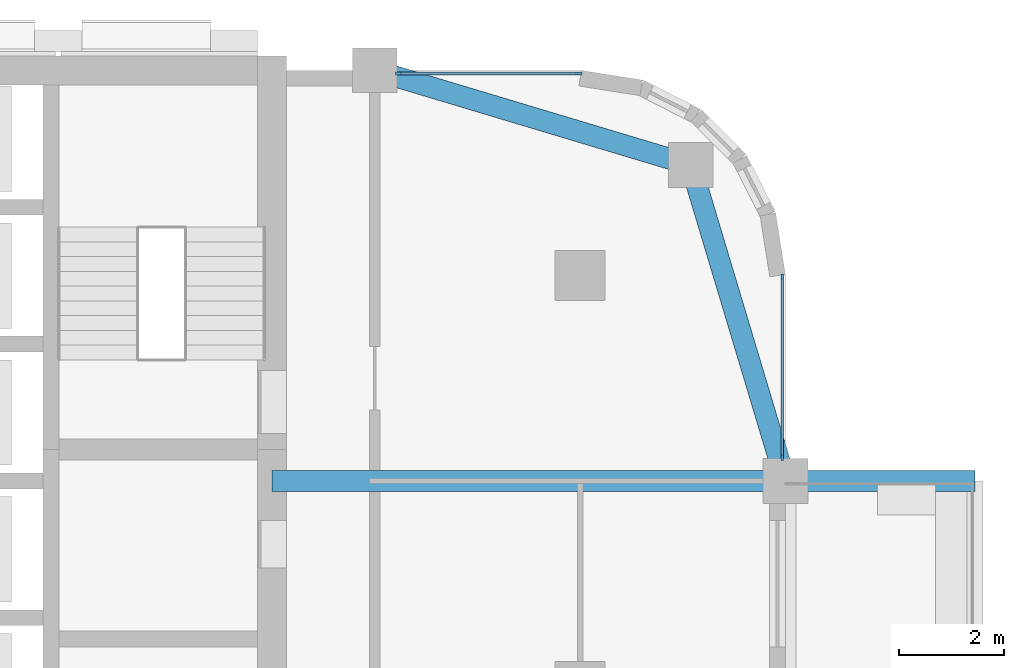
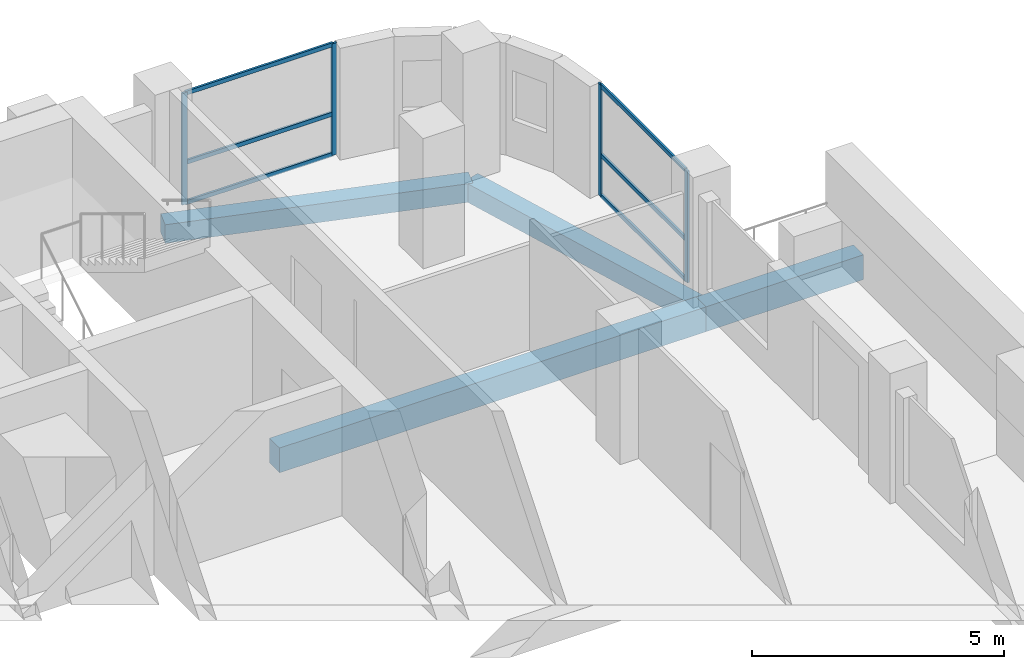
# One storey, part 8 of 19: 10 members, 4 beams, 2 elements without a shape of their own.
"""IFC4 building model written with IfcOpenShell, lengths in metres."""

from ifc_helpers import new_model, si_unit, direction, frame, origin, origin_2d, place, context, subcontext, project, spatial, rectangle, extrude, material, material_profile, profile_set, type_object, element, aggregate, save


model = new_model("IFC4")

# Units and contexts
model_context = context("Model", 3, precision=1e-05, world=origin(), true_north=direction((0.0, 1.0)))
body_context = subcontext(model_context, "Body", "Model", "MODEL_VIEW")
ifc_project = project(units=[si_unit("LENGTHUNIT", "METRE"), si_unit("AREAUNIT", "SQUARE_METRE"), si_unit("VOLUMEUNIT", "CUBIC_METRE"), si_unit("PLANEANGLEUNIT", "RADIAN"), si_unit("MASSUNIT", "GRAM", prefix="KILO")], contexts=[model_context])

# Site, building, storey
site_placement = place(None, origin())
site = spatial("IfcSite", under=ifc_project, at=site_placement, CompositionType="ELEMENT")
building_placement = place(site_placement, origin())
building = spatial("IfcBuilding", under=site, at=building_placement, Name="Ludao Terraces", CompositionType="ELEMENT")
storey_placement = place(building_placement, frame((0.0, 0.0, 133.89990234375)))
storey = spatial("IfcBuildingStorey", under=building, at=storey_placement, Name="L36", CompositionType="ELEMENT", Elevation=133.89990234375)

# Curtain wall, members
ifc_material_1 = material(Name="Aluminium curtain wall with fritted glass", Category="aluminium")
curtain_wall_type = type_object("IfcCurtainWallType", Name="ENV CW3 community glazing", PredefinedType="NOTDEFINED", material=ifc_material_1)
curtain_wall_1_placement = place(storey_placement, origin())
curtain_wall_1 = element("IfcCurtainWall", 1, at=curtain_wall_1_placement, inside=storey, type_object=curtain_wall_type, Name="Community floor glazing L36 E5", PredefinedType="NOTDEFINED")
ifc_material_2 = material(Name="Aluminium 6063-T6", Category="aluminium")
ifc_material_profile_1 = material_profile(ifc_material_2, rectangle(XDim=0.050048828125, YDim=0.1201171875, at=origin_2d()), Name="50 X 120")
ifc_profile_set_1 = profile_set([ifc_material_profile_1], Name="Aluminium 6063-T6")
member_type_1 = type_object("IfcMemberType", Name="ENV CW3 mullion 50x120", PredefinedType="MULLION", material=ifc_profile_set_1)
member_1_placement = place(storey_placement, frame((104.43994140625, 77.14990234375, 0.0), z_axis=(0.0, 0.0, 1.0), x_axis=(-1.0, 0.0, 0.0)))
member_1 = element("IfcMember", 2, at=member_1_placement, type_object=member_type_1, Name="CW3 mullion 1", PredefinedType="MULLION", context=body_context, shape_type="SweptSolid", body=[
    extrude(rectangle(XDim=0.050048828125, YDim=0.1201171875, at=origin_2d()), origin(), (0.0, 0.0, 1.0), 2.7001953125),
])
member_2_placement = place(storey_placement, frame((104.43994140625, 80.574951171875, 0.0), z_axis=(0.0, 0.0, 1.0), x_axis=(-1.0, 0.0, 0.0)))
member_2 = element("IfcMember", 3, at=member_2_placement, type_object=member_type_1, Name="CW3 mullion 2", PredefinedType="MULLION", context=body_context, shape_type="SweptSolid", body=[
    extrude(rectangle(XDim=0.050048828125, YDim=0.1201171875, at=origin_2d()), origin(), (0.0, 0.0, 1.0), 2.7001953125),
])

curtain_wall_2_placement = place(storey_placement, origin())
curtain_wall_2 = element("IfcCurtainWall", 4, at=curtain_wall_2_placement, inside=storey, type_object=curtain_wall_type, Name="Community floor glazing L36 N4", PredefinedType="NOTDEFINED")
member_3_placement = place(storey_placement, frame((97.14990234375, 84.43994140625, 0.0), z_axis=(0.0, 0.0, 1.0), x_axis=(0.0, 1.0, 0.0)))
member_3 = element("IfcMember", 5, at=member_3_placement, type_object=member_type_1, Name="CW3 mullion 1", PredefinedType="MULLION", context=body_context, shape_type="SweptSolid", body=[
    extrude(rectangle(XDim=0.050048828125, YDim=0.1201171875, at=origin_2d()), origin(), (0.0, 0.0, 1.0), 2.7001953125),
])
member_4_placement = place(storey_placement, frame((100.574951171875, 84.43994140625, 0.0), z_axis=(0.0, 0.0, 1.0), x_axis=(0.0, 1.0, 0.0)))
member_4 = element("IfcMember", 6, at=member_4_placement, type_object=member_type_1, Name="CW3 mullion 2", PredefinedType="MULLION", context=body_context, shape_type="SweptSolid", body=[
    extrude(rectangle(XDim=0.050048828125, YDim=0.1201171875, at=origin_2d()), origin(), (0.0, 0.0, 1.0), 2.7001953125),
])

# Member
ifc_material_profile_2 = material_profile(ifc_material_2, rectangle(XDim=0.050048828125, YDim=0.10009765625, at=origin_2d()), Name="50 X 100")
ifc_profile_set_2 = profile_set([ifc_material_profile_2], Name="Aluminium 6063-T6")
member_type_2 = type_object("IfcMemberType", Name="ENV CW3 transom 50x100", PredefinedType="USERDEFINED", material=ifc_profile_set_2)
member_5_placement = place(storey_placement, frame((104.43994140625, 77.175048828125, 0.025146484375), z_axis=(0.0, 1.0, 0.0), x_axis=(-1.0, 0.0, 0.0)))
member_5 = element("IfcMember", 7, at=member_5_placement, type_object=member_type_2, Name="CW3 transom 1.1", ObjectType="TRANSOM", PredefinedType="USERDEFINED", context=body_context, shape_type="SweptSolid", body=[
    extrude(rectangle(XDim=0.050048828125, YDim=0.10009765625, at=origin_2d()), origin(), (0.0, 0.0, 1.0), 3.375),
])

member_6_placement = place(storey_placement, frame((104.43994140625, 77.175048828125, 1.0), z_axis=(0.0, 1.0, 0.0), x_axis=(-1.0, 0.0, 0.0)))
member_6 = element("IfcMember", 8, at=member_6_placement, type_object=member_type_2, Name="CW3 transom 1.2", ObjectType="TRANSOM", PredefinedType="USERDEFINED", context=body_context, shape_type="SweptSolid", body=[
    extrude(rectangle(XDim=0.050048828125, YDim=0.10009765625, at=origin_2d()), origin(), (0.0, 0.0, 1.0), 3.375),
])

member_7_placement = place(storey_placement, frame((104.43994140625, 77.175048828125, 2.675048828125), z_axis=(0.0, 1.0, 0.0), x_axis=(-1.0, 0.0, 0.0)))
member_7 = element("IfcMember", 9, at=member_7_placement, type_object=member_type_2, Name="CW3 transom 1.3", ObjectType="TRANSOM", PredefinedType="USERDEFINED", context=body_context, shape_type="SweptSolid", body=[
    extrude(rectangle(XDim=0.050048828125, YDim=0.10009765625, at=origin_2d()), origin(), (0.0, 0.0, 1.0), 3.375),
])

aggregate(curtain_wall_1, [member_1, member_2, member_5, member_6, member_7])

member_8_placement = place(storey_placement, frame((97.175048828125, 84.43994140625, 0.025146484375), z_axis=(1.0, 0.0, 0.0), x_axis=(0.0, 1.0, 0.0)))
member_8 = element("IfcMember", 10, at=member_8_placement, type_object=member_type_2, Name="CW3 transom 1.1", ObjectType="TRANSOM", PredefinedType="USERDEFINED", context=body_context, shape_type="SweptSolid", body=[
    extrude(rectangle(XDim=0.050048828125, YDim=0.10009765625, at=origin_2d()), origin(), (0.0, 0.0, 1.0), 3.375),
])

member_9_placement = place(storey_placement, frame((97.175048828125, 84.43994140625, 1.0), z_axis=(1.0, 0.0, 0.0), x_axis=(0.0, 1.0, 0.0)))
member_9 = element("IfcMember", 11, at=member_9_placement, type_object=member_type_2, Name="CW3 transom 1.2", ObjectType="TRANSOM", PredefinedType="USERDEFINED", context=body_context, shape_type="SweptSolid", body=[
    extrude(rectangle(XDim=0.050048828125, YDim=0.10009765625, at=origin_2d()), origin(), (0.0, 0.0, 1.0), 3.375),
])

member_10_placement = place(storey_placement, frame((97.175048828125, 84.43994140625, 2.675048828125), z_axis=(1.0, 0.0, 0.0), x_axis=(0.0, 1.0, 0.0)))
member_10 = element("IfcMember", 12, at=member_10_placement, type_object=member_type_2, Name="CW3 transom 1.3", ObjectType="TRANSOM", PredefinedType="USERDEFINED", context=body_context, shape_type="SweptSolid", body=[
    extrude(rectangle(XDim=0.050048828125, YDim=0.10009765625, at=origin_2d()), origin(), (0.0, 0.0, 1.0), 3.375),
])

aggregate(curtain_wall_2, [member_3, member_4, member_8, member_9, member_10])

# Beams
ifc_material_3 = material(Name="Concrete C40", Category="concrete")
ifc_material_profile_3 = material_profile(ifc_material_3, rectangle(XDim=0.39990234375, YDim=0.449951171875, at=origin_2d()), Name="400 X 450")
ifc_profile_set_3 = profile_set([ifc_material_profile_3], Name="Concrete C40")
beam_type_1 = type_object("IfcBeamType", Name="RC beam 400x450 C40", PredefinedType="BEAM", material=ifc_profile_set_3)
for number, where, z_axis, x_axis, name in (
    (13, (96.699951171875, 84.5, -0.474853515625), (0.957824139839, -0.287355036744, 0.0), (0.287355036744, 0.957824139839, 0.0), "Spandrel beam L36 N7"),
    (14, (104.5, 76.699951171875, -0.474853515625), (-0.287355036744, 0.957824139839, 0.0), (-0.957824139839, -0.287355036744, 0.0), "Spandrel beam L36 E17"),
):
    element("IfcBeam", number, at=place(storey_placement, frame(where, z_axis=z_axis, x_axis=x_axis)), inside=storey, type_object=beam_type_1, Name=name, PredefinedType="BEAM", context=body_context, shape_type="SweptSolid", body=[
        extrude(rectangle(XDim=0.39990234375, YDim=0.449951171875, at=origin_2d()), origin(), (0.0, 0.0, 1.0), 6.26416015625),
    ])
ifc_material_profile_4 = material_profile(ifc_material_3, rectangle(XDim=0.39990234375, YDim=0.60009765625, at=origin_2d()), Name="400 X 600")
ifc_profile_set_4 = profile_set([ifc_material_profile_4], Name="Concrete C40")
beam_type_2 = type_object("IfcBeamType", Name="RC beam 400x600 C40", PredefinedType="BEAM", material=ifc_profile_set_4)
beam_1_placement = place(storey_placement, frame((94.75, 76.699951171875, -0.5498046875), z_axis=(1.0, 0.0, 0.0), x_axis=(0.0, 1.0, 0.0)))
element("IfcBeam", 15, at=beam_1_placement, inside=storey, type_object=beam_type_2, Name="Balcony beam L36 E767", PredefinedType="BEAM", context=body_context, shape_type="SweptSolid", body=[
    extrude(rectangle(XDim=0.39990234375, YDim=0.60009765625, at=origin_2d()), origin(), (0.0, 0.0, 1.0), 9.75),
])
beam_2_placement = place(storey_placement, frame((104.5, 76.699951171875, -0.5498046875), z_axis=(1.0, 0.0, 0.0), x_axis=(0.0, 1.0, 0.0)))
element("IfcBeam", 16, at=beam_2_placement, inside=storey, type_object=beam_type_2, Name="Balcony beam L36 E767", PredefinedType="BEAM", context=body_context, shape_type="SweptSolid", body=[
    extrude(rectangle(XDim=0.39990234375, YDim=0.60009765625, at=origin_2d()), origin(), (0.0, 0.0, 1.0), 3.60009765625),
])

save(model, "model.ifc")
